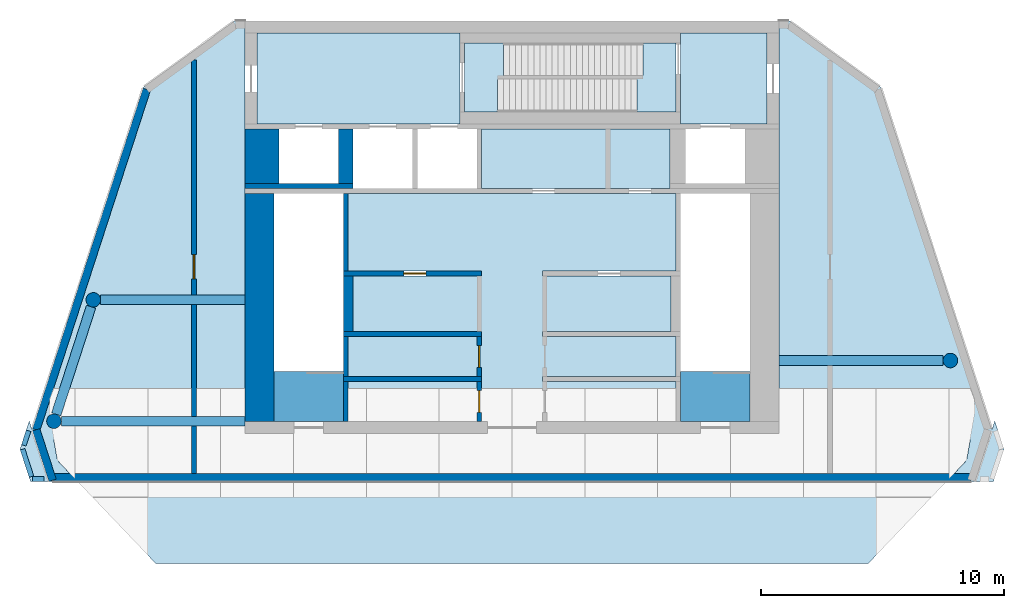
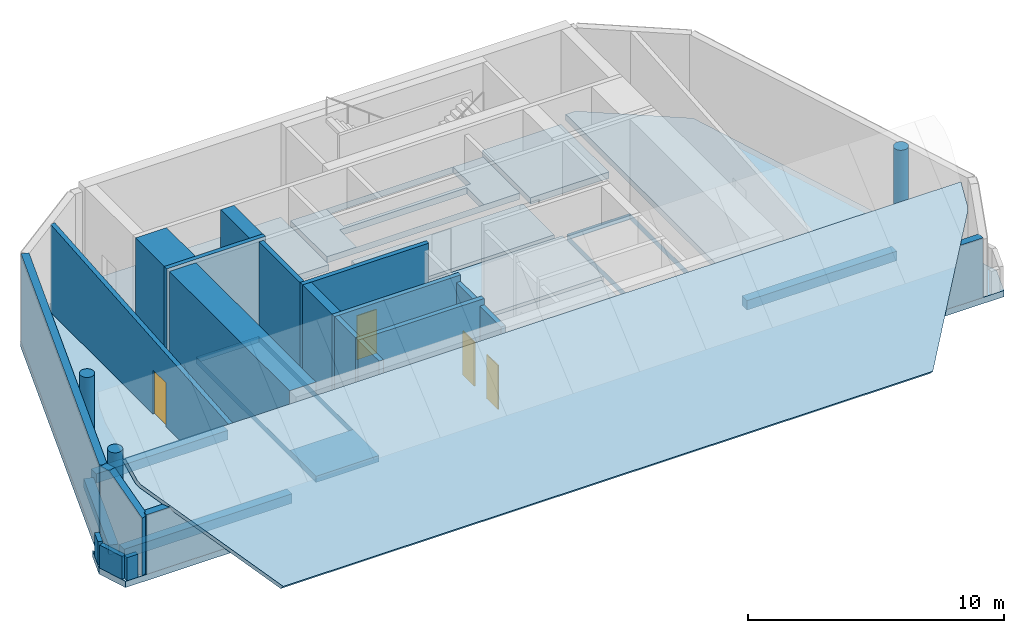
# One storey, part 1 of 5: 20 walls, 9 slabs, 4 beams, 4 doors, 3 columns, 4 openings.
"""IFC4 building model written with IfcOpenShell, lengths in metres."""

import ifcopenshell
import ifcopenshell.guid

model = None  # the IFC model being written
_history = None  # IfcOwnerHistory: only IFC2X3 demands one
_inside = {}  # id of a spatial element -> (the spatial element, [elements in it])
_under = {}  # id of a project, library or spatial element -> (it, [spatial elements below it])
_declared = {}  # id of a project -> (the project, [libraries it declares])
_typed = {}  # id of a type object -> (the type object, [elements of that type])
_made_of = {}  # id of a material, layer set ... -> (it, [elements and type objects made of it])


def new_model(schema):
    """Start an empty IFC model of exactly this schema.

    Asked for "IFC4X3", IfcOpenShell would pick the latest addendum, in which some entities
    have other attributes; the version numbers below select the first issue.
    IFC2X3 requires an IfcOwnerHistory on every rooted entity: one is made here for all.
    """
    global model, _history
    if schema == "IFC4X3":
        model = ifcopenshell.file(schema_version=(4, 3, 0, 0))
    else:
        model = ifcopenshell.file(schema=schema)
    _inside.clear()
    _under.clear()
    _declared.clear()
    _typed.clear()
    _made_of.clear()
    _history = None
    if model.schema == "IFC2X3":
        org = make("IfcOrganization", Name="unknown")
        user = make(
            "IfcPersonAndOrganization",
            ThePerson=make("IfcPerson", FamilyName="unknown"),
            TheOrganization=org,
        )
        app = make(
            "IfcApplication",
            ApplicationDeveloper=org,
            Version="unknown",
            ApplicationFullName="unknown",
            ApplicationIdentifier="unknown",
        )
        _history = make(
            "IfcOwnerHistory",
            OwningUser=user,
            OwningApplication=app,
            ChangeAction="ADDED",
            CreationDate=0,
        )
    return model


def make(cls, **values):
    """One entity of the class cls with the attributes given. An attribute that is None is left unset."""
    return model.create_entity(
        cls, **{name: value for name, value in values.items() if value is not None}
    )


def rooted(cls, **values):
    """An entity with a GlobalId (a new one), such as an element, a storey or a relation."""
    return make(cls, GlobalId=ifcopenshell.guid.new(), OwnerHistory=_history, **values)


def si_unit(unit_type, name, prefix=None):
    """IfcSIUnit, for example si_unit("LENGTHUNIT", "METRE", prefix="MILLI")."""
    return make("IfcSIUnit", UnitType=unit_type, Prefix=prefix, Name=name)


def assignment(units):
    """IfcUnitAssignment: the units of a project."""
    return None if units is None else make("IfcUnitAssignment", Units=units)


def point(xyz):
    """IfcCartesianPoint."""
    return None if xyz is None else make("IfcCartesianPoint", Coordinates=xyz)


def direction(xyz):
    """IfcDirection."""
    return None if xyz is None else make("IfcDirection", DirectionRatios=xyz)


def frame(location, z_axis=None, x_axis=None):
    """IfcAxis2Placement3D, a coordinate frame: its origin and axes. An axis left out is left unset."""
    return make(
        "IfcAxis2Placement3D",
        Location=point(location),
        Axis=direction(z_axis),
        RefDirection=direction(x_axis),
    )


def frame_2d(location, x_axis=None):
    """IfcAxis2Placement2D, a coordinate frame in the plane: its origin and x axis."""
    return make(
        "IfcAxis2Placement2D", Location=point(location), RefDirection=direction(x_axis)
    )


def origin():
    """The frame at (0, 0, 0) with its axes left unset."""
    return frame((0.0, 0.0, 0.0))


def origin_2d():
    """The frame at (0, 0) in the plane with its x axis left unset."""
    return frame_2d((0.0, 0.0))


def place(relative_to, where):
    """IfcLocalPlacement: puts the frame where relative to a parent placement (None: the world)."""
    return make(
        "IfcLocalPlacement", PlacementRelTo=relative_to, RelativePlacement=where
    )


def context(
    kind, dimensions, precision=None, world=None, true_north=None, identifier=None
):
    """IfcGeometricRepresentationContext, for example the 3D "Model" context."""
    return make(
        "IfcGeometricRepresentationContext",
        ContextIdentifier=identifier,
        ContextType=kind,
        CoordinateSpaceDimension=dimensions,
        Precision=precision,
        WorldCoordinateSystem=world,
        TrueNorth=true_north,
    )


def subcontext(parent, identifier, kind, view, scale=None):
    """IfcGeometricRepresentationSubContext, for example "Body" below "Model"."""
    return make(
        "IfcGeometricRepresentationSubContext",
        ContextIdentifier=identifier,
        ContextType=kind,
        ParentContext=parent,
        TargetScale=scale,
        TargetView=view,
    )


def project(units=None, contexts=None):
    """IfcProject with its units and contexts."""
    return rooted(
        "IfcProject",
        Name="project",
        RepresentationContexts=contexts,
        UnitsInContext=assignment(units),
    )


def spatial(cls, under=None, at=None, **own):
    """A site, building, storey or space (cls), placed at a placement, below another one or the project."""
    s = rooted(cls, ObjectPlacement=at, **own)
    if under is not None:
        _under.setdefault(under.id(), (under, []))[1].append(s)
    return s


def polyline(points):
    """IfcPolyline through the points."""
    return make("IfcPolyline", Points=[point(p) for p in points])


def profile(cls, at=None, kind="AREA", **sizes):
    """A parametric profile (cls). Its sizes go by their IFC names, for example OverallWidth=200.0."""
    return make(cls, ProfileType=kind, Position=at, **sizes)


def rectangle(**sizes):
    """IfcRectangleProfileDef."""
    return profile("IfcRectangleProfileDef", **sizes)


def circle(**sizes):
    """IfcCircleProfileDef."""
    return profile("IfcCircleProfileDef", **sizes)


def outline(outer, holes=None, kind="AREA"):
    """IfcArbitraryClosedProfileDef: a profile drawn as a closed curve; with holes, ...WithVoids."""
    if holes is None:
        return make("IfcArbitraryClosedProfileDef", ProfileType=kind, OuterCurve=outer)
    return make(
        "IfcArbitraryProfileDefWithVoids",
        ProfileType=kind,
        OuterCurve=outer,
        InnerCurves=holes,
    )


def extrude(swept, where, along, depth):
    """IfcExtrudedAreaSolid: the profile swept, set in the frame where, extruded along a direction by depth."""
    return make(
        "IfcExtrudedAreaSolid",
        SweptArea=swept,
        Position=where,
        ExtrudedDirection=direction(along),
        Depth=depth,
    )


def shape(context_of_items, identifier, shape_type, items):
    """IfcShapeRepresentation: the items that make up one representation, for example the "Body"."""
    return make(
        "IfcShapeRepresentation",
        ContextOfItems=context_of_items,
        RepresentationIdentifier=identifier,
        RepresentationType=shape_type,
        Items=items,
    )


def material(Name=None, Category=None):
    """IfcMaterial."""
    return make("IfcMaterial", Name=Name, Category=Category)


def layer(
    of_material, thickness, ventilated=None, Name=None, Category=None, Priority=None
):
    """IfcMaterialLayer: one layer of a wall or slab, of a material (None: an air gap)."""
    return make(
        "IfcMaterialLayer",
        Material=of_material,
        LayerThickness=thickness,
        IsVentilated=ventilated,
        Name=Name,
        Category=Category,
        Priority=Priority,
    )


def layer_set(layers, Name=None):
    """IfcMaterialLayerSet."""
    return make("IfcMaterialLayerSet", MaterialLayers=layers, LayerSetName=Name)


def material_profile(
    of_material, cross_section, Name=None, Category=None, Priority=None
):
    """IfcMaterialProfile: a cross section and its material."""
    return make(
        "IfcMaterialProfile",
        Name=Name,
        Material=of_material,
        Profile=cross_section,
        Priority=Priority,
        Category=Category,
    )


def profile_set(profiles, Name=None, composite=None):
    """IfcMaterialProfileSet."""
    return make(
        "IfcMaterialProfileSet",
        Name=Name,
        MaterialProfiles=profiles,
        CompositeProfile=composite,
    )


def made_of(thing, what):
    """Note that an element or type object is made of a material, layer set ...; save() writes the relation."""
    if what is not None:
        _made_of.setdefault(what.id(), (what, []))[1].append(thing)
    return thing


def type_object(cls, material=None, **own):
    """A type object (cls), such as IfcWallType, which elements share."""
    return made_of(rooted(cls, **own), material)


def element(
    cls,
    number,
    at=None,
    inside=None,
    cuts=None,
    type_object=None,
    material=None,
    context=None,
    identifier="Body",
    shape_type=None,
    held_by="IfcProductDefinitionShape",
    body=None,
    shapes=None,
    **own,
):
    """One element of the class cls, such as IfcWall. Its Tag is "e" and its number.

    at: its placement. inside: the storey or other place that contains it. cuts: it is an
    opening in that element (IfcRelVoidsElement). A single representation is given by context,
    identifier, shape_type and body (its items); several are given by shapes. held_by: the class
    of the entity that holds the representations. save() writes the other relations.
    """
    e = rooted(cls, Tag="e%d" % number, ObjectPlacement=at, **own)
    if body is not None:
        shapes = [shape(context, identifier, shape_type, body)]
    if shapes is not None:
        e.Representation = make(held_by, Representations=shapes)
    if inside is not None:
        _inside.setdefault(inside.id(), (inside, []))[1].append(e)
    if cuts is not None:
        rooted(
            "IfcRelVoidsElement", RelatingBuildingElement=cuts, RelatedOpeningElement=e
        )
    if type_object is not None:
        _typed.setdefault(type_object.id(), (type_object, []))[1].append(e)
    return made_of(e, material)


def fill(opening, filler):
    """IfcRelFillsElement: the door or window that sits in an opening."""
    return rooted(
        "IfcRelFillsElement",
        RelatingOpeningElement=opening,
        RelatedBuildingElement=filler,
    )


def aggregate(whole, parts):
    """IfcRelAggregates: a whole, such as a stair, and the parts it consists of."""
    return rooted("IfcRelAggregates", RelatingObject=whole, RelatedObjects=parts)


def save(model, path):
    """Write the relations noted so far, then the file.

    IfcRelAggregates (storeys below a building ...), IfcRelContainedInSpatialStructure (elements
    in a storey), IfcRelDefinesByType, IfcRelAssociatesMaterial and IfcRelDeclares: one each for
    every whole, place, type object, material and project.
    """
    for whole, parts in _under.values():
        aggregate(whole, parts)
    for where, things in _inside.values():
        rooted(
            "IfcRelContainedInSpatialStructure",
            RelatedElements=things,
            RelatingStructure=where,
        )
    for kind, things in _typed.values():
        rooted("IfcRelDefinesByType", RelatedObjects=things, RelatingType=kind)
    for what, things in _made_of.values():
        rooted("IfcRelAssociatesMaterial", RelatedObjects=things, RelatingMaterial=what)
    for by, libraries in _declared.values():
        rooted("IfcRelDeclares", RelatingContext=by, RelatedDefinitions=libraries)
    model.write(path)


model = new_model("IFC4")

# Units and contexts
model_context = context("Model", 3, precision=1e-05, world=origin(), true_north=direction((0.0, 1.0)))
body_context = subcontext(model_context, "Body", "Model", "MODEL_VIEW")
ifc_project = project(units=[si_unit("LENGTHUNIT", "METRE"), si_unit("AREAUNIT", "SQUARE_METRE"), si_unit("VOLUMEUNIT", "CUBIC_METRE"), si_unit("PLANEANGLEUNIT", "RADIAN"), si_unit("MASSUNIT", "GRAM", prefix="KILO")], contexts=[model_context])

# Site, building, storey
site_placement = place(None, origin())
site = spatial("IfcSite", under=ifc_project, at=site_placement, CompositionType="ELEMENT")
building_placement = place(site_placement, origin())
building = spatial("IfcBuilding", under=site, at=building_placement, Name="White Candle Pilgrim Tower", CompositionType="ELEMENT")
storey_placement = place(building_placement, frame((0.0, 0.0, 342.199951171875)))
storey = spatial("IfcBuildingStorey", under=building, at=storey_placement, Name="L80", CompositionType="ELEMENT", Elevation=342.199951171875)

# Columns
ifc_material_1 = material(Name="Concrete C60/75", Category="concrete")
ifc_material_profile_1 = material_profile(ifc_material_1, circle(Radius=0.300048828125, at=origin_2d()), Name="RC-COL D600")
ifc_profile_set_1 = profile_set([ifc_material_profile_1], Name="Concrete C60/75")
column_type = type_object("IfcColumnType", Name="Perimeter column RC-COL D600 C60/75", PredefinedType="COLUMN", material=ifc_profile_set_1)
for number, where, z_axis, x_axis, name in (
    (1, (88.06005859375, 74.010009765625, 0.0), (0.0, 0.0, 1.0), (1.0, 0.0, 0.0), "L80 crown column T06"),
    (2, (52.75, 76.510009765625, 0.0), (0.0, 0.0, 1.0), (1.0, 0.0, 0.0), "L80 crown column T07"),
    (3, (51.1298828125, 71.510009765625, 0.0), (0.0, 0.0, 1.0), (1.0, 0.0, 0.0), "L80 crown column T08"),
):
    element("IfcColumn", number, at=place(storey_placement, frame(where, z_axis=z_axis, x_axis=x_axis)), inside=storey, type_object=column_type, Name=name, PredefinedType="COLUMN", context=body_context, shape_type="SweptSolid", body=[
        extrude(circle(Radius=0.300048828125, at=origin_2d()), origin(), (0.0, 0.0, 1.0), 4.5),
    ])

# Beams
ifc_material_2 = material(Name="Concrete C50/60", Category="concrete")
ifc_material_profile_2 = material_profile(ifc_material_2, rectangle(XDim=0.39990234375, YDim=0.449951171875, at=origin_2d()), Name="RC-BM 400x450")
ifc_profile_set_2 = profile_set([ifc_material_profile_2], Name="Concrete C50/60")
beam_type = type_object("IfcBeamType", Name="Spandrel beam RC-BM 400x450 C50/60", PredefinedType="BEAM", material=ifc_profile_set_2)
beam_1_placement = place(storey_placement, frame((87.760009765625, 74.010009765625, -0.52490234375), z_axis=(-1.0, 0.0, 0.0), x_axis=(0.0, -1.0, 0.0)))
element("IfcBeam", 4, at=beam_1_placement, inside=storey, type_object=beam_type, Name="L80 spandrel beam T01", PredefinedType="BEAM", context=body_context, shape_type="SweptSolid", body=[
    extrude(rectangle(XDim=0.39990234375, YDim=0.449951171875, at=origin_2d()), origin(), (0.0, 0.0, 1.0), 6.760009765625),
])
beam_2_placement = place(storey_placement, frame((53.050048828125, 76.510009765625, -0.52490234375), z_axis=(1.0, 0.0, 0.0), x_axis=(0.0, 1.0, 0.0)))
element("IfcBeam", 5, at=beam_2_placement, inside=storey, type_object=beam_type, Name="L80 spandrel beam T02", PredefinedType="BEAM", context=body_context, shape_type="SweptSolid", body=[
    extrude(rectangle(XDim=0.39990234375, YDim=0.449951171875, at=origin_2d()), origin(), (0.0, 0.0, 1.0), 5.949951171875),
])
beam_3_placement = place(storey_placement, frame((52.65771484375, 76.224609375, -0.52490234375), z_axis=(-0.308272590093, -0.951298065907, 0.0), x_axis=(0.951298065907, -0.308272590093, 0.0)))
element("IfcBeam", 6, at=beam_3_placement, inside=storey, type_object=beam_type, Name="L80 spandrel beam T03", PredefinedType="BEAM", context=body_context, shape_type="SweptSolid", body=[
    extrude(rectangle(XDim=0.39990234375, YDim=0.449951171875, at=origin_2d()), origin(), (0.0, 0.0, 1.0), 4.656005859375),
])
beam_4_placement = place(storey_placement, frame((51.429931640625, 71.510009765625, -0.52490234375), z_axis=(1.0, 0.0, 0.0), x_axis=(0.0, 1.0, 0.0)))
element("IfcBeam", 7, at=beam_4_placement, inside=storey, type_object=beam_type, Name="L80 spandrel beam T04", PredefinedType="BEAM", context=body_context, shape_type="SweptSolid", body=[
    extrude(rectangle(XDim=0.39990234375, YDim=0.449951171875, at=origin_2d()), origin(), (0.0, 0.0, 1.0), 7.570068359375),
])

# Slabs
ifc_material_3 = material(Name="Concrete C40/50", Category="concrete")
ifc_layer_1 = layer(ifc_material_3, 0.300048828125)
ifc_layer_set_1 = layer_set([ifc_layer_1], Name="Core floor slab 300 mm Concrete C40/50")
slab_type_1 = type_object("IfcSlabType", Name="Core floor slab 300 mm Concrete C40/50", PredefinedType="FLOOR", material=ifc_layer_set_1)
slab_1_placement = place(storey_placement, frame((0.0, 0.0, -0.300048828125)))
element("IfcSlab", 8, at=slab_1_placement, inside=storey, type_object=slab_type_1, Name="CF-L80-01", PredefinedType="FLOOR", context=body_context, shape_type="SweptSolid", body=[
    extrude(outline(polyline([(67.85009765625, 87.5), (67.85009765625, 87.10009765625), (67.85009765625, 84.25), (67.85009765625, 83.75), (59.5, 83.75), (59.5, 87.5), (67.85009765625, 87.5)])), origin(), (0.0, 0.0, 1.0), 0.300048828125),
])
slab_2_placement = place(storey_placement, frame((0.0, 0.0, -0.300048828125)))
element("IfcSlab", 9, at=slab_2_placement, inside=storey, type_object=slab_type_1, Name="CF-L80-02", PredefinedType="FLOOR", context=body_context, shape_type="SweptSolid", body=[
    extrude(outline(polyline([(80.5, 87.5), (80.5, 83.75), (76.949951171875, 83.75), (76.949951171875, 84.25), (76.949951171875, 87.10009765625), (76.949951171875, 87.5), (80.5, 87.5)])), origin(), (0.0, 0.0, 1.0), 0.300048828125),
])
slab_3_placement = place(storey_placement, frame((0.0, 0.0, -0.300048828125)))
element("IfcSlab", 10, at=slab_3_placement, inside=storey, type_object=slab_type_1, Name="CF-L80-03", PredefinedType="FLOOR", context=body_context, shape_type="SweptSolid", body=[
    extrude(outline(polyline([(76.949951171875, 71.5), (76.949951171875, 73.14990234375), (76.949951171875, 73.35009765625), (76.949951171875, 75.0), (76.949951171875, 75.199951171875), (76.949951171875, 77.5), (76.949951171875, 77.699951171875), (76.949951171875, 80.89990234375), (79.800048828125, 80.89990234375), (79.800048828125, 71.5), (76.949951171875, 71.5)]), holes=[polyline([(76.951904296875, 73.552001953125), (79.798095703125, 73.552001953125), (79.798095703125, 80.89794921875), (76.951904296875, 80.89794921875), (76.951904296875, 73.552001953125)])]), origin(), (0.0, 0.0, 1.0), 0.300048828125),
])
slab_4_placement = place(storey_placement, frame((0.0, 0.0, -0.300048828125)))
element("IfcSlab", 11, at=slab_4_placement, inside=storey, type_object=slab_type_1, Name="CF-L80-04", PredefinedType="FLOOR", context=body_context, shape_type="SweptSolid", body=[
    extrude(outline(polyline([(63.25, 71.5), (63.25, 73.14990234375), (68.75, 73.14990234375), (68.75, 73.35009765625), (63.25, 73.35009765625), (63.25, 75.0), (68.75, 75.0), (68.75, 75.199951171875), (63.449951171875, 75.199951171875), (63.449951171875, 77.5), (68.75, 77.5), (68.75, 77.699951171875), (63.25, 77.699951171875), (63.25, 80.89990234375), (76.75, 80.89990234375), (76.75, 77.699951171875), (71.25, 77.699951171875), (71.25, 77.5), (76.550048828125, 77.5), (76.550048828125, 75.199951171875), (71.25, 75.199951171875), (71.25, 75.0), (76.75, 75.0), (76.75, 73.35009765625), (71.25, 73.35009765625), (71.25, 73.14990234375), (76.75, 73.14990234375), (76.75, 71.5), (63.25, 71.5)])), origin(), (0.0, 0.0, 1.0), 0.300048828125),
])
slab_5_placement = place(storey_placement, frame((0.0, 0.0, -0.300048828125)))
element("IfcSlab", 12, at=slab_5_placement, inside=storey, type_object=slab_type_1, Name="CF-L80-05", PredefinedType="FLOOR", context=body_context, shape_type="SweptSolid", body=[
    extrude(outline(polyline([(60.199951171875, 71.5), (60.199951171875, 80.89990234375), (63.050048828125, 80.89990234375), (63.050048828125, 77.699951171875), (63.050048828125, 77.5), (63.050048828125, 75.199951171875), (63.050048828125, 75.0), (63.050048828125, 73.35009765625), (63.050048828125, 73.14990234375), (63.050048828125, 71.5), (60.199951171875, 71.5)]), holes=[polyline([(63.048095703125, 73.552001953125), (63.048095703125, 80.89794921875), (60.201904296875, 80.89794921875), (60.201904296875, 73.552001953125), (63.048095703125, 73.552001953125)])]), origin(), (0.0, 0.0, 1.0), 0.300048828125),
])
slab_6_placement = place(storey_placement, frame((0.0, 0.0, -0.300048828125)))
element("IfcSlab", 13, at=slab_6_placement, inside=storey, type_object=slab_type_1, Name="CF-L80-06", PredefinedType="FLOOR", context=body_context, shape_type="SweptSolid", body=[
    extrude(outline(polyline([(68.75, 83.550048828125), (76.5, 83.550048828125), (76.5, 81.300048828125), (76.5, 81.10009765625), (68.75, 81.10009765625), (68.75, 83.550048828125)])), origin(), (0.0, 0.0, 1.0), 0.300048828125),
])
slab_7_placement = place(storey_placement, frame((0.0, 0.0, -0.300048828125)))
element("IfcSlab", 14, at=slab_7_placement, inside=storey, type_object=slab_type_1, Name="CF-L80-07", PredefinedType="FLOOR", context=body_context, shape_type="SweptSolid", body=[
    extrude(outline(polyline([(68.050048828125, 87.10009765625), (76.75, 87.10009765625), (76.75, 84.25), (68.050048828125, 84.25), (68.050048828125, 87.10009765625)]), holes=[polyline([(69.402099609375, 84.251953125), (75.14794921875, 84.251953125), (75.14794921875, 85.597900390625), (69.402099609375, 85.597900390625), (69.402099609375, 84.251953125)]), polyline([(69.652099609375, 87.097900390625), (69.652099609375, 85.751953125), (75.39794921875, 85.751953125), (75.39794921875, 87.097900390625), (69.652099609375, 87.097900390625)])]), origin(), (0.0, 0.0, 1.0), 0.300048828125),
])
ifc_layer_2 = layer(ifc_material_3, 0.300048828125)
ifc_layer_set_2 = layer_set([ifc_layer_2], Name="Floor slab 300 REI 120")
slab_type_2 = type_object("IfcSlabType", Name="Floor slab 300 REI 120", PredefinedType="FLOOR", material=ifc_layer_set_2)
slab_8_placement = place(storey_placement, frame((0.0, 0.0, -0.300048828125)))
element("IfcSlab", 15, at=slab_8_placement, inside=storey, type_object=slab_type_2, Name="L80 floor slab", PredefinedType="FLOOR", context=body_context, shape_type="SweptSolid", body=[
    extrude(outline(polyline([(50.16259765625, 69.0263671875), (89.83740234375, 69.026611328125), (89.837890625, 69.026611328125), (90.27001953125, 70.356201171875), (89.891357421875, 71.52099609375), (89.773193359375, 71.1572265625), (85.185302734375, 85.276611328125), (81.43701171875, 88.0), (81.0, 88.0), (81.0, 71.0), (59.0, 71.0), (59.0, 88.0), (58.56298828125, 88.0), (54.814453125, 85.276611328125), (50.226806640625, 71.1572265625), (50.1083984375, 71.52099609375), (49.72998046875, 70.356201171875), (50.162109375, 69.026611328125), (50.16259765625, 69.0263671875)])), origin(), (0.0, 0.0, 1.0), 0.300048828125),
])
ifc_layer_3 = layer(ifc_material_3, 0.300048828125)
ifc_layer_set_3 = layer_set([ifc_layer_3], Name="Roof slab 300 REI 120")
slab_type_3 = type_object("IfcSlabType", Name="Roof slab 300 REI 120", PredefinedType="ROOF", material=ifc_layer_set_3)
slab_9_placement = place(storey_placement, frame((55.2275390625, 65.748291015625, 0.09765625), z_axis=(0.0, -0.662914232644, 0.748695345357), x_axis=(-0.58168795254, 0.608997798565, 0.539222409784)))
element("IfcSlab", 16, at=slab_9_placement, inside=storey, type_object=slab_type_3, Name="Roof slab L80-01", PredefinedType="ROOF", context=body_context, shape_type="SweptSolid", body=[
    extrude(outline(polyline([(0.0, 0.0), (0.2572826245954153, -6.938893903907228e-18), (0.5144232355305425, -0.00019858692068457084), (0.7718375062220963, -0.00029272979731936877), (1.0288294360540582, -0.0003849917515692247), (1.2861120606494736, -0.00038499175156919696), (1.543394685244889, -0.00038499175156919696), (1.8008089559364429, -0.0004791346282040365), (2.05794956687157, -0.0006777215488886212), (2.3152321914669853, -0.0006777215488885102), (2.5724977810553735, -0.0006655394590885377), (2.829638391990501, -0.000864126379773178), (3.086921016585917, -0.000864126379773178), (3.3443352872774703, -0.000958269256407962), (3.6016179118728857, -0.000958269256408073), (3.858758522808013, -0.0011568561770926022), (4.116172793499567, -0.0012509990537272753), (4.373306736991816, -0.0011446740872929073), (4.630589361587232, -0.0011446740872927963), (4.887861618618498, -0.0014374038846118875), (5.145144243213913, -0.0014374038846118875), (5.402426867809329, -0.0014374038846118875), (5.659699124840595, -0.0017301336819310897), (5.916833068332844, -0.0016238087154964997), (6.174115692928259, -0.0016238087154964997), (6.431529963619813, -0.0017179515921315058), (6.688670574554941, -0.001916538512815924), (6.906757428910851, -0.056726528621755756), (7.0931648694583735, -0.1561141318406727), (7.279298650249469, -0.2556061791036395), (7.465574444700853, -0.3548996394459214), (7.651850239152237, -0.45419309978820355), (7.787853259135016, -0.5265397634662616), (-14.170014867284657, -31.2316522658722), (-14.282443619659617, -31.126340173360507), (-14.436624326885898, -30.98216606894351), (-14.590805034112183, -30.83799196452652), (-14.745127754998752, -30.69401644703021), (-14.899440108321171, -30.54974819973658), (-15.021809755642925, -30.361090625086245), (-15.105125646385469, -30.117821647247656), (-15.188431169563856, -29.874259939611743), (-15.271605046646105, -29.63079237485247), (-15.354630242625191, -29.38743113505963), (-15.43807777946387, -29.144068014344402), (-15.521251656546118, -28.900600449585124), (-15.604425533628367, -28.65713288482585), (-15.687873070467049, -28.413769764110626), (-15.771046947549298, -28.170302199351347), (-15.85407214352838, -27.926940959558507), (-15.937377666706771, -27.6833792519226), (-16.02069355744931, -27.440110274084006), (-16.10386743453156, -27.19664270932473), (-16.187172957709947, -26.953081001688822), (-16.2703468347922, -26.709613436929544), (-16.35366272553474, -26.46634445909095), (-16.43681956760996, -26.222889076421477), (-16.51999344469221, -25.979421511662203), (-16.60330933543475, -25.73615253382361), (-16.68661485861314, -25.4925908261877), (-16.76978873569539, -25.249123261428426), (-16.85296261277764, -25.005655696669148), (-16.936129822417016, -24.76249304379699), (-17.0194353455954, -24.51893133616108), (-17.10275123633794, -24.275662358322492), (-17.185925113420193, -24.032194793563214), (-17.244430841819018, -23.8609941202322), (-0.18092150356713516, 1.8747700918329835e-05), (0.0, 0.0)])), origin(), (0.0, 0.0, -1.0), 0.300048828125),
])

# Walls
ifc_layer_4 = layer(ifc_material_3, 1.39990234375)
ifc_layer_set_4 = layer_set([ifc_layer_4], Name="Core wall 1400 mm Concrete C40/50")
wall_type_1 = type_object("IfcWallType", Name="Core wall 1400 mm Concrete C40/50", PredefinedType="SHEAR", material=ifc_layer_set_4)
wall_1_placement = place(storey_placement, frame((59.699951171875, 81.300048828125, 0.0), z_axis=(0.0, 0.0, 1.0), x_axis=(0.0, 1.0, 0.0)))
element("IfcWall", 17, at=wall_1_placement, inside=storey, type_object=wall_type_1, Name="WL-L80-C30", PredefinedType="SHEAR", context=body_context, shape_type="SweptSolid", body=[
    extrude(rectangle(XDim=2.25, YDim=1.39990234375, at=frame_2d((1.125, 0.0))), origin(), (0.0, 0.0, 1.0), 4.5),
])
ifc_layer_5 = layer(ifc_material_3, 0.199951171875)
ifc_layer_set_5 = layer_set([ifc_layer_5], Name="Core wall 200 mm Concrete C40/50")
wall_type_2 = type_object("IfcWallType", Name="Core wall 200 mm Concrete C40/50", PredefinedType="SHEAR", material=ifc_layer_set_5)
wall_2_placement = place(storey_placement, frame((59.0, 81.199951171875, 0.0), z_axis=(0.0, 0.0, 1.0), x_axis=(1.0, 0.0, 0.0)))
element("IfcWall", 18, at=wall_2_placement, inside=storey, type_object=wall_type_2, Name="WL-L80-C25", PredefinedType="SHEAR", context=body_context, shape_type="SweptSolid", body=[
    extrude(rectangle(XDim=4.449951171875, YDim=0.199951171875, at=frame_2d((2.22509765625, 0.0))), origin(), (0.0, 0.0, 1.0), 4.5),
])

# Wall, opening, door
ifc_material_4 = material(Name="Gypsum board on steel studs", Category="steel")
ifc_layer_6 = layer(ifc_material_4, 0.199951171875)
ifc_layer_set_6 = layer_set([ifc_layer_6], Name="Corridor wall 200 mm EI 45")
wall_type_3 = type_object("IfcWallType", Name="Corridor wall 200 mm EI 45", PredefinedType="PARTITIONING", material=ifc_layer_set_6)
wall_3_placement = place(storey_placement, frame((56.89990234375, 69.34619140625, 0.0), z_axis=(0.0, 0.0, 1.0), x_axis=(0.0, 1.0, 0.0)))
wall_3 = element("IfcWall", 19, at=wall_3_placement, inside=storey, type_object=wall_type_3, Name="WL-L80-P002", PredefinedType="PARTITIONING", context=body_context, shape_type="SweptSolid", body=[
    extrude(outline(polyline([(0.0, 0.0), (17.050048828125, 0.0), (17.0498046875, 4.199951171875), (0.0, 2.833251953125), (0.0, 0.0)])), frame((0.0, 0.10009765625, 0.0), z_axis=(0.0, -1.0, 0.0), x_axis=(1.0, 0.0, 0.0)), (0.0, 0.0, 1.0), 0.199951171875),
])
opening_1_placement = place(wall_3_placement, frame((8.02490234375, 0.0, 0.0)))
opening_1 = element("IfcOpeningElement", 20, at=opening_1_placement, cuts=wall_3, Name="Opening L80-101", PredefinedType="OPENING", context=body_context, shape_type="SweptSolid", body=[
    extrude(rectangle(XDim=1.0, YDim=2.10009765625, at=frame_2d((0.5, 1.050048828125))), frame((0.0, 0.10986328125, 0.0), z_axis=(0.0, -1.0, 0.0), x_axis=(1.0, 0.0, 0.0)), (0.0, 0.0, 1.0), 0.219970703125),
])
ifc_material_5 = material(Name="Steel door leaf", Category="steel")
door_type_1 = type_object("IfcDoorType", Name="Fire door 1000 x 2100 EI 30", OperationType="NOTDEFINED", PredefinedType="DOOR", material=ifc_material_5)
door_1_placement = place(opening_1_placement, origin())
door_1 = element("IfcDoor", 21, at=door_1_placement, inside=storey, type_object=door_type_1, Name="Door L80-101", OperationType="SINGLE_SWING_LEFT", OverallHeight=2.10009765625, OverallWidth=1.0, PredefinedType="DOOR", context=body_context, shape_type="SweptSolid", body=[
    extrude(rectangle(XDim=1.0, YDim=2.10009765625, at=frame_2d((0.5, 1.050048828125))), frame((0.0, 0.02490234375, 0.0), z_axis=(0.0, -1.0, 0.0), x_axis=(1.0, 0.0, 0.0)), (0.0, 0.0, 1.0), 0.050048828125),
])
fill(opening_1, door_1)

# Walls
ifc_material_6 = material(Name="Precast concrete C40/50", Category="concrete")
ifc_layer_7 = layer(ifc_material_6, 0.320068359375)
ifc_layer_set_7 = layer_set([ifc_layer_7], Name="Facade wall EW4 precast concrete C40/50 crown wall with zinc cladding")
wall_type_4 = type_object("IfcWallType", Name="Facade wall EW4 precast concrete C40/50 crown wall with zinc cladding", PredefinedType="SOLIDWALL", material=ifc_layer_set_7)
wall_4_placement = place(storey_placement, frame((50.39501953125, 71.1572265625, 0.0), z_axis=(0.0, 0.0, 1.0), x_axis=(0.308990223282, -0.951065214334, 0.0)))
element("IfcWall", 22, at=wall_4_placement, inside=storey, type_object=wall_type_4, Name="Crown wall L80 W chamfer", PredefinedType="SOLIDWALL", context=body_context, shape_type="SweptSolid", body=[
    extrude(outline(polyline([(0.0, 0.0), (2.188720703125, 0.0), (2.188720703125, 2.743896484375), (0.459228515625, 4.199951171875), (0.0, 4.199951171875), (0.0, 0.0)])), frame((0.0, 0.16015625, 0.0), z_axis=(0.0, -1.0, 0.0), x_axis=(1.0, 0.0, 0.0)), (0.0, 0.0, 1.0), 0.320068359375),
])
wall_5_placement = place(storey_placement, frame((54.950439453125, 85.177734375, 0.0), z_axis=(0.0, 0.0, 1.0), x_axis=(-0.309009679663, -0.951058892958, 0.0)))
element("IfcWall", 23, at=wall_5_placement, inside=storey, type_object=wall_type_4, Name="Crown wall L80 WNW", PredefinedType="SOLIDWALL", context=body_context, shape_type="SweptSolid", body=[
    extrude(rectangle(XDim=14.741943359375, YDim=0.320068359375, at=frame_2d((7.37109375, 0.0))), origin(), (0.0, 0.0, 1.0), 4.199951171875),
])
wall_6_placement = place(storey_placement, frame((51.10888671875, 69.186279296875, 0.0), z_axis=(0.0, 0.0, 1.0), x_axis=(1.0, 0.0, 0.0)))
element("IfcWall", 24, at=wall_6_placement, inside=storey, type_object=wall_type_4, Name="Crown wall L80 S", PredefinedType="SOLIDWALL", context=body_context, shape_type="SweptSolid", body=[
    extrude(rectangle(XDim=37.7822265625, YDim=0.320068359375, at=frame_2d((18.89111328125, 0.0))), origin(), (0.0, 0.0, 1.0), 2.841796875),
])

# Wall, opening, door
ifc_layer_8 = layer(ifc_material_4, 0.199951171875)
ifc_layer_set_8 = layer_set([ifc_layer_8], Name="Lobby wall 200 mm EI 60")
wall_type_5 = type_object("IfcWallType", Name="Lobby wall 200 mm EI 60", PredefinedType="PARTITIONING", material=ifc_layer_set_8)
wall_7_placement = place(storey_placement, frame((68.64990234375, 71.5, 0.0), z_axis=(0.0, 0.0, 1.0), x_axis=(0.0, 1.0, 0.0)))
wall_7 = element("IfcWall", 25, at=wall_7_placement, inside=storey, type_object=wall_type_5, Name="WL-L80-C04", PredefinedType="PARTITIONING", context=body_context, shape_type="SweptSolid", body=[
    extrude(rectangle(XDim=1.64990234375, YDim=0.199951171875, at=frame_2d((0.824951171875, 0.0))), origin(), (0.0, 0.0, 1.0), 4.199951171875),
])
opening_2_placement = place(wall_7_placement, frame((0.375, 0.0, 0.0)))
opening_2 = element("IfcOpeningElement", 26, at=opening_2_placement, cuts=wall_7, Name="Opening L80-006", PredefinedType="OPENING", context=body_context, shape_type="SweptSolid", body=[
    extrude(rectangle(XDim=0.89990234375, YDim=2.10009765625, at=frame_2d((0.449951171875, 1.050048828125))), frame((0.0, 0.10986328125, 0.0), z_axis=(0.0, -1.0, 0.0), x_axis=(1.0, 0.0, 0.0)), (0.0, 0.0, 1.0), 0.219970703125),
])
door_type_2 = type_object("IfcDoorType", Name="Fire door 900 x 2100 EI 30", OperationType="NOTDEFINED", PredefinedType="DOOR", material=ifc_material_5)
door_2_placement = place(opening_2_placement, origin())
door_2 = element("IfcDoor", 27, at=door_2_placement, inside=storey, type_object=door_type_2, Name="Door L80-006", OperationType="SINGLE_SWING_RIGHT", OverallHeight=2.10009765625, OverallWidth=0.89990234375, PredefinedType="DOOR", context=body_context, shape_type="SweptSolid", body=[
    extrude(rectangle(XDim=0.89990234375, YDim=2.10009765625, at=frame_2d((0.449951171875, 1.050048828125))), frame((0.0, 0.02490234375, 0.0), z_axis=(0.0, -1.0, 0.0), x_axis=(1.0, 0.0, 0.0)), (0.0, 0.0, 1.0), 0.050048828125),
])
fill(opening_2, door_2)

wall_8_placement = place(storey_placement, frame((68.64990234375, 73.35009765625, 0.0), z_axis=(0.0, 0.0, 1.0), x_axis=(0.0, 1.0, 0.0)))
wall_8 = element("IfcWall", 28, at=wall_8_placement, inside=storey, type_object=wall_type_5, Name="WL-L80-C11", PredefinedType="PARTITIONING", context=body_context, shape_type="SweptSolid", body=[
    extrude(rectangle(XDim=1.64990234375, YDim=0.199951171875, at=frame_2d((0.824951171875, 0.0))), origin(), (0.0, 0.0, 1.0), 4.199951171875),
])
opening_3_placement = place(wall_8_placement, frame((0.375, 0.0, 0.0)))
opening_3 = element("IfcOpeningElement", 29, at=opening_3_placement, cuts=wall_8, Name="Opening L80-007", PredefinedType="OPENING", context=body_context, shape_type="SweptSolid", body=[
    extrude(rectangle(XDim=0.89990234375, YDim=2.10009765625, at=frame_2d((0.449951171875, 1.050048828125))), frame((0.0, 0.10986328125, 0.0), z_axis=(0.0, -1.0, 0.0), x_axis=(1.0, 0.0, 0.0)), (0.0, 0.0, 1.0), 0.219970703125),
])
door_3_placement = place(opening_3_placement, origin())
door_3 = element("IfcDoor", 30, at=door_3_placement, inside=storey, type_object=door_type_2, Name="Door L80-007", OperationType="SINGLE_SWING_LEFT", OverallHeight=2.10009765625, OverallWidth=0.89990234375, PredefinedType="DOOR", context=body_context, shape_type="SweptSolid", body=[
    extrude(rectangle(XDim=0.89990234375, YDim=2.10009765625, at=frame_2d((0.449951171875, 1.050048828125))), frame((0.0, 0.02490234375, 0.0), z_axis=(0.0, -1.0, 0.0), x_axis=(1.0, 0.0, 0.0)), (0.0, 0.0, 1.0), 0.050048828125),
])
fill(opening_3, door_3)

# Walls
ifc_layer_9 = layer(ifc_material_6, 0.199951171875)
ifc_layer_set_9 = layer_set([ifc_layer_9], Name="Roof parapet EW5 precast concrete C40/50 200")
wall_type_6 = type_object("IfcWallType", Name="Roof parapet EW5 precast concrete C40/50 200", PredefinedType="SOLIDWALL", material=ifc_layer_set_9)
wall_9_placement = place(storey_placement, frame((50.72900390625, 69.126220703125, 0.0), z_axis=(0.0, 0.0, 1.0), x_axis=(-1.0, 0.0, 0.0)))
element("IfcWall", 31, at=wall_9_placement, inside=storey, type_object=wall_type_6, Name="Roof parapet L80", PredefinedType="SOLIDWALL", context=body_context, shape_type="SweptSolid", body=[
    extrude(rectangle(XDim=0.494140625, YDim=0.199951171875, at=frame_2d((0.2470703125, 0.0))), origin(), (0.0, 0.0, 1.0), 1.10009765625),
])
wall_10_placement = place(storey_placement, frame((50.202392578125, 69.226318359375, 0.0), z_axis=(0.0, 0.0, 1.0), x_axis=(-0.309067485778, 0.951040109162, 0.0)))
element("IfcWall", 32, at=wall_10_placement, inside=storey, type_object=wall_type_6, Name="Roof parapet L80", PredefinedType="SOLIDWALL", context=body_context, shape_type="SweptSolid", body=[
    extrude(rectangle(XDim=1.18798828125, YDim=0.199951171875, at=frame_2d((0.593994140625, 0.0))), origin(), (0.0, 0.0, 1.0), 1.10009765625),
])
wall_11_placement = place(storey_placement, frame((49.8876953125, 70.51806640625, 0.0), z_axis=(0.0, 0.0, 1.0), x_axis=(0.309129868594, 0.951019833833, 0.0)))
element("IfcWall", 33, at=wall_11_placement, inside=storey, type_object=wall_type_6, Name="Roof parapet L80", PredefinedType="SOLIDWALL", context=body_context, shape_type="SweptSolid", body=[
    extrude(rectangle(XDim=0.630126953125, YDim=0.199951171875, at=frame_2d((0.31494140625, 0.0))), origin(), (0.0, 0.0, 1.0), 1.10009765625),
])
ifc_layer_10 = layer(ifc_material_3, 0.60009765625)
ifc_layer_set_10 = layer_set([ifc_layer_10], Name="Shaft wall 600 mm Concrete C40/50")
wall_type_7 = type_object("IfcWallType", Name="Shaft wall 600 mm Concrete C40/50", PredefinedType="SHEAR", material=ifc_layer_set_10)
wall_12_placement = place(storey_placement, frame((63.14990234375, 81.300048828125, 0.0), z_axis=(0.0, 0.0, 1.0), x_axis=(0.0, 1.0, 0.0)))
element("IfcWall", 34, at=wall_12_placement, inside=storey, type_object=wall_type_7, Name="WL-L80-C31", PredefinedType="SHEAR", context=body_context, shape_type="SweptSolid", body=[
    extrude(rectangle(XDim=2.25, YDim=0.60009765625, at=frame_2d((1.125, 0.0))), origin(), (0.0, 0.0, 1.0), 4.5),
])
ifc_layer_11 = layer(ifc_material_3, 1.199951171875)
ifc_layer_set_11 = layer_set([ifc_layer_11], Name="Stair shaft wall 1200 mm Concrete C40/50")
wall_type_8 = type_object("IfcWallType", Name="Stair shaft wall 1200 mm Concrete C40/50", PredefinedType="SHEAR", material=ifc_layer_set_11)
wall_13_placement = place(storey_placement, frame((59.60009765625, 71.5, 0.0), z_axis=(0.0, 0.0, 1.0), x_axis=(0.0, 1.0, 0.0)))
element("IfcWall", 35, at=wall_13_placement, inside=storey, type_object=wall_type_8, Name="WL-L80-C02", PredefinedType="SHEAR", context=body_context, shape_type="SweptSolid", body=[
    extrude(rectangle(XDim=9.39990234375, YDim=1.199951171875, at=frame_2d((4.699951171875, 0.0))), origin(), (0.0, 0.0, 1.0), 4.5),
])
ifc_layer_12 = layer(ifc_material_3, 0.199951171875)
ifc_layer_set_12 = layer_set([ifc_layer_12], Name="Stair shaft wall 200 mm Concrete C40/50")
wall_type_9 = type_object("IfcWallType", Name="Stair shaft wall 200 mm Concrete C40/50", PredefinedType="SHEAR", material=ifc_layer_set_12)
wall_14_placement = place(storey_placement, frame((63.14990234375, 71.5, 0.0), z_axis=(0.0, 0.0, 1.0), x_axis=(0.0, 1.0, 0.0)))
element("IfcWall", 36, at=wall_14_placement, inside=storey, type_object=wall_type_9, Name="WL-L80-C03", PredefinedType="SHEAR", context=body_context, shape_type="SweptSolid", body=[
    extrude(rectangle(XDim=1.64990234375, YDim=0.199951171875, at=frame_2d((0.824951171875, 0.0))), origin(), (0.0, 0.0, 1.0), 4.5),
])
wall_15_placement = place(storey_placement, frame((63.050048828125, 73.25, 0.0), z_axis=(0.0, 0.0, 1.0), x_axis=(1.0, 0.0, 0.0)))
element("IfcWall", 37, at=wall_15_placement, inside=storey, type_object=wall_type_9, Name="WL-L80-C08", PredefinedType="SHEAR", context=body_context, shape_type="SweptSolid", body=[
    extrude(rectangle(XDim=5.699951171875, YDim=0.199951171875, at=frame_2d((2.85009765625, 0.0))), origin(), (0.0, 0.0, 1.0), 4.5),
])
wall_16_placement = place(storey_placement, frame((63.14990234375, 73.35009765625, 0.0), z_axis=(0.0, 0.0, 1.0), x_axis=(0.0, 1.0, 0.0)))
element("IfcWall", 38, at=wall_16_placement, inside=storey, type_object=wall_type_9, Name="WL-L80-C10", PredefinedType="SHEAR", context=body_context, shape_type="SweptSolid", body=[
    extrude(rectangle(XDim=1.64990234375, YDim=0.199951171875, at=frame_2d((0.824951171875, 0.0))), origin(), (0.0, 0.0, 1.0), 4.5),
])
wall_17_placement = place(storey_placement, frame((63.050048828125, 75.10009765625, 0.0), z_axis=(0.0, 0.0, 1.0), x_axis=(1.0, 0.0, 0.0)))
element("IfcWall", 39, at=wall_17_placement, inside=storey, type_object=wall_type_9, Name="WL-L80-C14", PredefinedType="SHEAR", context=body_context, shape_type="SweptSolid", body=[
    extrude(rectangle(XDim=5.699951171875, YDim=0.199951171875, at=frame_2d((2.85009765625, 0.0))), origin(), (0.0, 0.0, 1.0), 4.5),
])

# Wall, opening, door
wall_18_placement = place(storey_placement, frame((63.050048828125, 77.60009765625, 0.0), z_axis=(0.0, 0.0, 1.0), x_axis=(1.0, 0.0, 0.0)))
wall_18 = element("IfcWall", 40, at=wall_18_placement, inside=storey, type_object=wall_type_9, Name="WL-L80-C20", PredefinedType="SHEAR", context=body_context, shape_type="SweptSolid", body=[
    extrude(rectangle(XDim=5.699951171875, YDim=0.199951171875, at=frame_2d((2.85009765625, 0.0))), origin(), (0.0, 0.0, 1.0), 4.5),
])
opening_4_placement = place(wall_18_placement, frame((2.5, 0.0, 0.0)))
opening_4 = element("IfcOpeningElement", 41, at=opening_4_placement, cuts=wall_18, Name="Opening L80-016", PredefinedType="OPENING", context=body_context, shape_type="SweptSolid", body=[
    extrude(rectangle(XDim=0.89990234375, YDim=2.10009765625, at=frame_2d((0.449951171875, 1.050048828125))), frame((0.0, 0.10986328125, 0.0), z_axis=(0.0, -1.0, 0.0), x_axis=(1.0, 0.0, 0.0)), (0.0, 0.0, 1.0), 0.219970703125),
])
door_4_placement = place(opening_4_placement, origin())
door_4 = element("IfcDoor", 42, at=door_4_placement, inside=storey, type_object=door_type_2, Name="Door L80-016", OperationType="SINGLE_SWING_RIGHT", OverallHeight=2.10009765625, OverallWidth=0.89990234375, PredefinedType="DOOR", context=body_context, shape_type="SweptSolid", body=[
    extrude(rectangle(XDim=0.89990234375, YDim=2.10009765625, at=frame_2d((0.449951171875, 1.050048828125))), frame((0.0, 0.02490234375, 0.0), z_axis=(0.0, -1.0, 0.0), x_axis=(1.0, 0.0, 0.0)), (0.0, 0.0, 1.0), 0.050048828125),
])
fill(opening_4, door_4)

# Walls
wall_19_placement = place(storey_placement, frame((63.14990234375, 77.699951171875, 0.0), z_axis=(0.0, 0.0, 1.0), x_axis=(0.0, 1.0, 0.0)))
element("IfcWall", 43, at=wall_19_placement, inside=storey, type_object=wall_type_9, Name="WL-L80-C22", PredefinedType="SHEAR", context=body_context, shape_type="SweptSolid", body=[
    extrude(rectangle(XDim=3.199951171875, YDim=0.199951171875, at=frame_2d((1.60009765625, 0.0))), origin(), (0.0, 0.0, 1.0), 4.5),
])
ifc_layer_13 = layer(ifc_material_3, 0.39990234375)
ifc_layer_set_13 = layer_set([ifc_layer_13], Name="Stair shaft wall 400 mm Concrete C40/50")
wall_type_10 = type_object("IfcWallType", Name="Stair shaft wall 400 mm Concrete C40/50", PredefinedType="SHEAR", material=ifc_layer_set_13)
wall_20_placement = place(storey_placement, frame((63.25, 75.199951171875, 0.0), z_axis=(0.0, 0.0, 1.0), x_axis=(0.0, 1.0, 0.0)))
element("IfcWall", 44, at=wall_20_placement, inside=storey, type_object=wall_type_10, Name="WL-L80-C16", PredefinedType="SHEAR", context=body_context, shape_type="SweptSolid", body=[
    extrude(rectangle(XDim=2.300048828125, YDim=0.39990234375, at=frame_2d((1.14990234375, 0.0))), origin(), (0.0, 0.0, 1.0), 4.5),
])

save(model, "model.ifc")
